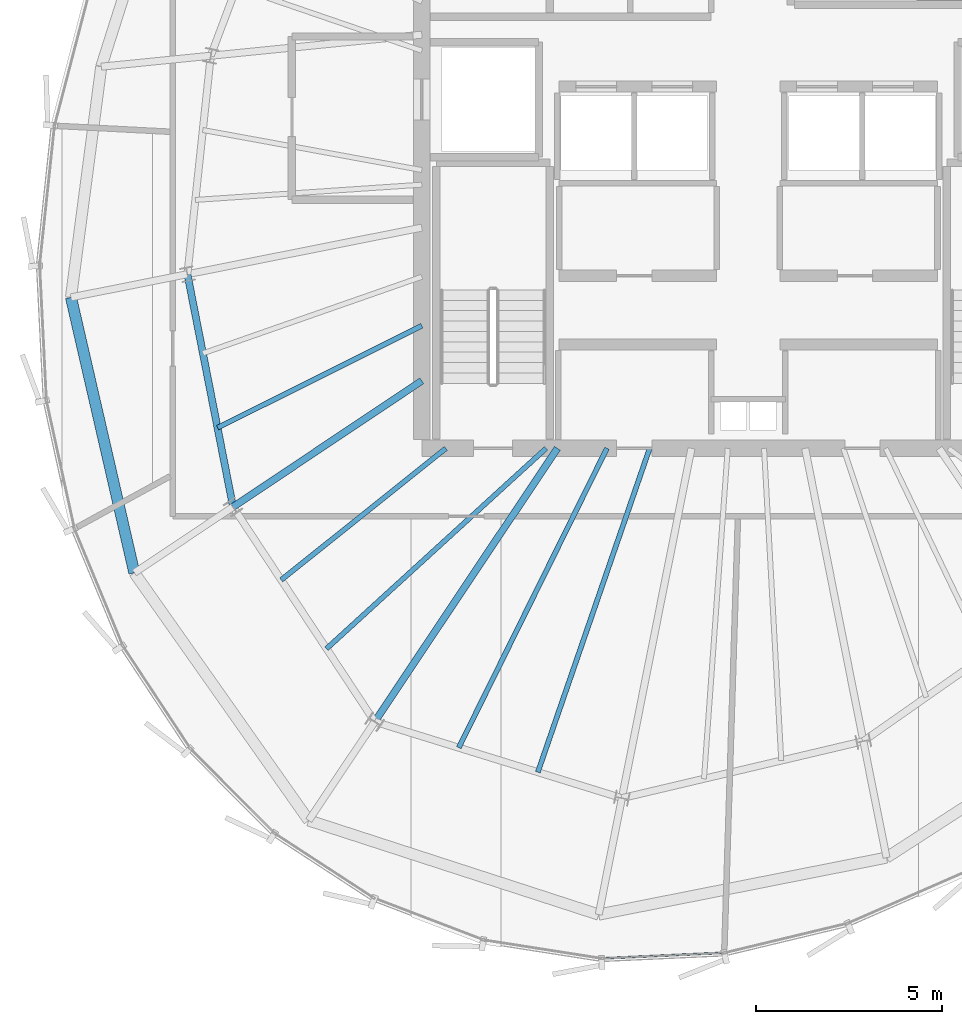
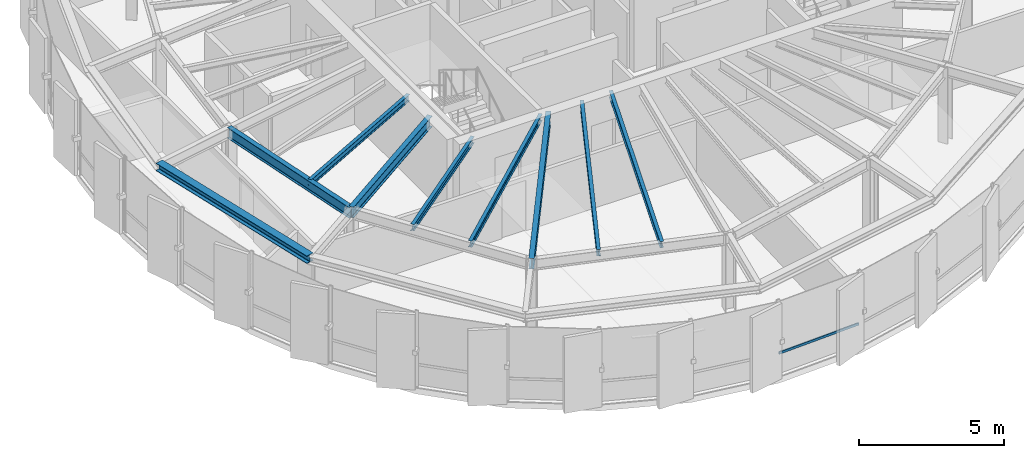
# One storey, part 5 of 31: 9 beams, 1 member, 1 element without a shape of its own.
"""IFC4 building model written with IfcOpenShell, lengths in metres."""

import ifcopenshell
import ifcopenshell.guid

model = None  # the IFC model being written
_history = None  # IfcOwnerHistory: only IFC2X3 demands one
_inside = {}  # id of a spatial element -> (the spatial element, [elements in it])
_under = {}  # id of a project, library or spatial element -> (it, [spatial elements below it])
_declared = {}  # id of a project -> (the project, [libraries it declares])
_typed = {}  # id of a type object -> (the type object, [elements of that type])
_made_of = {}  # id of a material, layer set ... -> (it, [elements and type objects made of it])


def new_model(schema):
    """Start an empty IFC model of exactly this schema.

    Asked for "IFC4X3", IfcOpenShell would pick the latest addendum, in which some entities
    have other attributes; the version numbers below select the first issue.
    IFC2X3 requires an IfcOwnerHistory on every rooted entity: one is made here for all.
    """
    global model, _history
    if schema == "IFC4X3":
        model = ifcopenshell.file(schema_version=(4, 3, 0, 0))
    else:
        model = ifcopenshell.file(schema=schema)
    _inside.clear()
    _under.clear()
    _declared.clear()
    _typed.clear()
    _made_of.clear()
    _history = None
    if model.schema == "IFC2X3":
        org = make("IfcOrganization", Name="unknown")
        user = make(
            "IfcPersonAndOrganization",
            ThePerson=make("IfcPerson", FamilyName="unknown"),
            TheOrganization=org,
        )
        app = make(
            "IfcApplication",
            ApplicationDeveloper=org,
            Version="unknown",
            ApplicationFullName="unknown",
            ApplicationIdentifier="unknown",
        )
        _history = make(
            "IfcOwnerHistory",
            OwningUser=user,
            OwningApplication=app,
            ChangeAction="ADDED",
            CreationDate=0,
        )
    return model


def make(cls, **values):
    """One entity of the class cls with the attributes given. An attribute that is None is left unset."""
    return model.create_entity(
        cls, **{name: value for name, value in values.items() if value is not None}
    )


def rooted(cls, **values):
    """An entity with a GlobalId (a new one), such as an element, a storey or a relation."""
    return make(cls, GlobalId=ifcopenshell.guid.new(), OwnerHistory=_history, **values)


def si_unit(unit_type, name, prefix=None):
    """IfcSIUnit, for example si_unit("LENGTHUNIT", "METRE", prefix="MILLI")."""
    return make("IfcSIUnit", UnitType=unit_type, Prefix=prefix, Name=name)


def assignment(units):
    """IfcUnitAssignment: the units of a project."""
    return None if units is None else make("IfcUnitAssignment", Units=units)


def point(xyz):
    """IfcCartesianPoint."""
    return None if xyz is None else make("IfcCartesianPoint", Coordinates=xyz)


def direction(xyz):
    """IfcDirection."""
    return None if xyz is None else make("IfcDirection", DirectionRatios=xyz)


def frame(location, z_axis=None, x_axis=None):
    """IfcAxis2Placement3D, a coordinate frame: its origin and axes. An axis left out is left unset."""
    return make(
        "IfcAxis2Placement3D",
        Location=point(location),
        Axis=direction(z_axis),
        RefDirection=direction(x_axis),
    )


def frame_2d(location, x_axis=None):
    """IfcAxis2Placement2D, a coordinate frame in the plane: its origin and x axis."""
    return make(
        "IfcAxis2Placement2D", Location=point(location), RefDirection=direction(x_axis)
    )


def origin():
    """The frame at (0, 0, 0) with its axes left unset."""
    return frame((0.0, 0.0, 0.0))


def origin_2d():
    """The frame at (0, 0) in the plane with its x axis left unset."""
    return frame_2d((0.0, 0.0))


def place(relative_to, where):
    """IfcLocalPlacement: puts the frame where relative to a parent placement (None: the world)."""
    return make(
        "IfcLocalPlacement", PlacementRelTo=relative_to, RelativePlacement=where
    )


def context(
    kind, dimensions, precision=None, world=None, true_north=None, identifier=None
):
    """IfcGeometricRepresentationContext, for example the 3D "Model" context."""
    return make(
        "IfcGeometricRepresentationContext",
        ContextIdentifier=identifier,
        ContextType=kind,
        CoordinateSpaceDimension=dimensions,
        Precision=precision,
        WorldCoordinateSystem=world,
        TrueNorth=true_north,
    )


def subcontext(parent, identifier, kind, view, scale=None):
    """IfcGeometricRepresentationSubContext, for example "Body" below "Model"."""
    return make(
        "IfcGeometricRepresentationSubContext",
        ContextIdentifier=identifier,
        ContextType=kind,
        ParentContext=parent,
        TargetScale=scale,
        TargetView=view,
    )


def project(units=None, contexts=None):
    """IfcProject with its units and contexts."""
    return rooted(
        "IfcProject",
        Name="project",
        RepresentationContexts=contexts,
        UnitsInContext=assignment(units),
    )


def spatial(cls, under=None, at=None, **own):
    """A site, building, storey or space (cls), placed at a placement, below another one or the project."""
    s = rooted(cls, ObjectPlacement=at, **own)
    if under is not None:
        _under.setdefault(under.id(), (under, []))[1].append(s)
    return s


def profile(cls, at=None, kind="AREA", **sizes):
    """A parametric profile (cls). Its sizes go by their IFC names, for example OverallWidth=200.0."""
    return make(cls, ProfileType=kind, Position=at, **sizes)


def hollow_rectangle(**sizes):
    """IfcRectangleHollowProfileDef."""
    return profile("IfcRectangleHollowProfileDef", **sizes)


def i_section(**sizes):
    """IfcIShapeProfileDef."""
    return profile("IfcIShapeProfileDef", **sizes)


def extrude(swept, where, along, depth):
    """IfcExtrudedAreaSolid: the profile swept, set in the frame where, extruded along a direction by depth."""
    return make(
        "IfcExtrudedAreaSolid",
        SweptArea=swept,
        Position=where,
        ExtrudedDirection=direction(along),
        Depth=depth,
    )


def shape(context_of_items, identifier, shape_type, items):
    """IfcShapeRepresentation: the items that make up one representation, for example the "Body"."""
    return make(
        "IfcShapeRepresentation",
        ContextOfItems=context_of_items,
        RepresentationIdentifier=identifier,
        RepresentationType=shape_type,
        Items=items,
    )


def source(mapping_origin, context_of_items, identifier, shape_type, items):
    """IfcRepresentationMap: a shape defined once, which mapped items show again and again."""
    return make(
        "IfcRepresentationMap",
        MappingOrigin=mapping_origin,
        MappedRepresentation=shape(context_of_items, identifier, shape_type, items),
    )


def transform(
    local_origin,
    x_axis=None,
    y_axis=None,
    z_axis=None,
    scale=None,
    scale2=None,
    scale3=None,
    uniform=True,
):
    """IfcCartesianTransformationOperator3D, or its non-uniform kind. x_axis, y_axis, z_axis: its Axis1, 2, 3."""
    if uniform:
        return make(
            "IfcCartesianTransformationOperator3D",
            Axis1=direction(x_axis),
            Axis2=direction(y_axis),
            LocalOrigin=point(local_origin),
            Scale=scale,
            Axis3=direction(z_axis),
        )
    return make(
        "IfcCartesianTransformationOperator3DnonUniform",
        Axis1=direction(x_axis),
        Axis2=direction(y_axis),
        LocalOrigin=point(local_origin),
        Scale=scale,
        Axis3=direction(z_axis),
        Scale2=scale2,
        Scale3=scale3,
    )


def mapped(mapping_source, mapping_target):
    """IfcMappedItem: shows the shape of a source again, moved by a transform."""
    return make(
        "IfcMappedItem", MappingSource=mapping_source, MappingTarget=mapping_target
    )


def material(Name=None, Category=None):
    """IfcMaterial."""
    return make("IfcMaterial", Name=Name, Category=Category)


def layer(
    of_material, thickness, ventilated=None, Name=None, Category=None, Priority=None
):
    """IfcMaterialLayer: one layer of a wall or slab, of a material (None: an air gap)."""
    return make(
        "IfcMaterialLayer",
        Material=of_material,
        LayerThickness=thickness,
        IsVentilated=ventilated,
        Name=Name,
        Category=Category,
        Priority=Priority,
    )


def layer_set(layers, Name=None):
    """IfcMaterialLayerSet."""
    return make("IfcMaterialLayerSet", MaterialLayers=layers, LayerSetName=Name)


def material_profile(
    of_material, cross_section, Name=None, Category=None, Priority=None
):
    """IfcMaterialProfile: a cross section and its material."""
    return make(
        "IfcMaterialProfile",
        Name=Name,
        Material=of_material,
        Profile=cross_section,
        Priority=Priority,
        Category=Category,
    )


def profile_set(profiles, Name=None, composite=None):
    """IfcMaterialProfileSet."""
    return make(
        "IfcMaterialProfileSet",
        Name=Name,
        MaterialProfiles=profiles,
        CompositeProfile=composite,
    )


def made_of(thing, what):
    """Note that an element or type object is made of a material, layer set ...; save() writes the relation."""
    if what is not None:
        _made_of.setdefault(what.id(), (what, []))[1].append(thing)
    return thing


def type_object(cls, material=None, **own):
    """A type object (cls), such as IfcWallType, which elements share."""
    return made_of(rooted(cls, **own), material)


def element(
    cls,
    number,
    at=None,
    inside=None,
    cuts=None,
    type_object=None,
    material=None,
    context=None,
    identifier="Body",
    shape_type=None,
    held_by="IfcProductDefinitionShape",
    body=None,
    shapes=None,
    **own,
):
    """One element of the class cls, such as IfcWall. Its Tag is "e" and its number.

    at: its placement. inside: the storey or other place that contains it. cuts: it is an
    opening in that element (IfcRelVoidsElement). A single representation is given by context,
    identifier, shape_type and body (its items); several are given by shapes. held_by: the class
    of the entity that holds the representations. save() writes the other relations.
    """
    e = rooted(cls, Tag="e%d" % number, ObjectPlacement=at, **own)
    if body is not None:
        shapes = [shape(context, identifier, shape_type, body)]
    if shapes is not None:
        e.Representation = make(held_by, Representations=shapes)
    if inside is not None:
        _inside.setdefault(inside.id(), (inside, []))[1].append(e)
    if cuts is not None:
        rooted(
            "IfcRelVoidsElement", RelatingBuildingElement=cuts, RelatedOpeningElement=e
        )
    if type_object is not None:
        _typed.setdefault(type_object.id(), (type_object, []))[1].append(e)
    return made_of(e, material)


def aggregate(whole, parts):
    """IfcRelAggregates: a whole, such as a stair, and the parts it consists of."""
    return rooted("IfcRelAggregates", RelatingObject=whole, RelatedObjects=parts)


def save(model, path):
    """Write the relations noted so far, then the file.

    IfcRelAggregates (storeys below a building ...), IfcRelContainedInSpatialStructure (elements
    in a storey), IfcRelDefinesByType, IfcRelAssociatesMaterial and IfcRelDeclares: one each for
    every whole, place, type object, material and project.
    """
    for whole, parts in _under.values():
        aggregate(whole, parts)
    for where, things in _inside.values():
        rooted(
            "IfcRelContainedInSpatialStructure",
            RelatedElements=things,
            RelatingStructure=where,
        )
    for kind, things in _typed.values():
        rooted("IfcRelDefinesByType", RelatedObjects=things, RelatingType=kind)
    for what, things in _made_of.values():
        rooted("IfcRelAssociatesMaterial", RelatedObjects=things, RelatingMaterial=what)
    for by, libraries in _declared.values():
        rooted("IfcRelDeclares", RelatingContext=by, RelatedDefinitions=libraries)
    model.write(path)


model = new_model("IFC4")

# Units and contexts
model_context = context("Model", 3, precision=1e-05, world=origin(), true_north=direction((0.0, 1.0)))
body_context = subcontext(model_context, "Body", "Model", "MODEL_VIEW")
ifc_project = project(units=[si_unit("LENGTHUNIT", "METRE"), si_unit("AREAUNIT", "SQUARE_METRE"), si_unit("VOLUMEUNIT", "CUBIC_METRE"), si_unit("PLANEANGLEUNIT", "RADIAN"), si_unit("MASSUNIT", "GRAM", prefix="KILO"), si_unit("THERMODYNAMICTEMPERATUREUNIT", "KELVIN")], contexts=[model_context])

# Site, building, storey
site_placement = place(None, origin())
site = spatial("IfcSite", under=ifc_project, at=site_placement, CompositionType="ELEMENT")
building_placement = place(site_placement, origin())
building = spatial("IfcBuilding", under=site, at=building_placement, Name="Kethvar Cultural Tower", CompositionType="ELEMENT")
storey_placement = place(building_placement, frame((0.0, 0.0, 287.050048828125)))
storey = spatial("IfcBuildingStorey", under=building, at=storey_placement, Name="L76", CompositionType="ELEMENT", Elevation=287.050048828125)

# Beams
ifc_material_1 = material(Name="Steel S355J2", Category="steel")
ifc_material_profile_1 = material_profile(ifc_material_1, i_section(OverallWidth=0.18994140625, OverallDepth=0.449951171875, WebThickness=0.009521484375, FlangeThickness=0.0146484375, FilletRadius=0.02099609375, at=origin_2d()), Name="Steel S355J2 — IPE450")
ifc_profile_set_1 = profile_set([ifc_material_profile_1], Name="Steel S355J2 — IPE450")
beam_type_1 = type_object("IfcBeamType", Name="BM-IPE450", PredefinedType="BEAM", material=ifc_profile_set_1)
shared_shape_1 = source(origin(), body_context, "Body", "SweptSolid", [
    extrude(i_section(OverallWidth=0.18994140625, OverallDepth=0.449951171875, WebThickness=0.009521484375, FlangeThickness=0.0146484375, FilletRadius=0.02099609375, at=origin_2d()), origin(), (0.0, 0.0, 1.0), 6.118408203125),
])
beam_1_placement = place(storey_placement, frame((38.0, 21.920166015625, 2.98291015625), z_axis=(-0.831466631282, -0.555574694406, 0.0), x_axis=(0.555574694406, -0.831466631282, 0.0)))
element("IfcBeam", 1, at=beam_1_placement, inside=storey, type_object=beam_type_1, Name="L76 Primary Radial Beam RB-10", PredefinedType="BEAM", context=body_context, shape_type="MappedRepresentation", body=[
    mapped(shared_shape_1, transform((0.0, 0.0, 0.0), scale=1.0)),
])
shared_shape_2 = source(origin(), body_context, "Body", "SweptSolid", [
    extrude(i_section(OverallWidth=0.18994140625, OverallDepth=0.449951171875, WebThickness=0.009521484375, FlangeThickness=0.0146484375, FilletRadius=0.02099609375, at=origin_2d()), origin(), (0.0, 0.0, 1.0), 8.86279296875),
])
beam_2_placement = place(storey_placement, frame((41.655029296875, 20.10009765625, 2.98291015625), z_axis=(-0.555564443415, -0.831473480764, 0.0), x_axis=(0.831473480764, -0.555564443415, 0.0)))
element("IfcBeam", 2, at=beam_2_placement, inside=storey, type_object=beam_type_1, Name="L76 Primary Radial Beam RB-11", PredefinedType="BEAM", context=body_context, shape_type="MappedRepresentation", body=[
    mapped(shared_shape_2, transform((0.0, 0.0, 0.0), scale=1.0)),
])
shared_shape_3 = source(origin(), body_context, "Body", "SweptSolid", [
    extrude(i_section(OverallWidth=0.18994140625, OverallDepth=0.449951171875, WebThickness=0.009521484375, FlangeThickness=0.0146484375, FilletRadius=0.02099609375, at=origin_2d()), origin(), (0.0, 0.0, 1.0), 6.391357421875),
])
beam_3_placement = place(storey_placement, frame((31.68310546875, 24.79296875, 2.98291015625), z_axis=(0.192405084368, -0.981315588131, 0.0), x_axis=(0.981315588131, 0.192405084368, 0.0)))
element("IfcBeam", 3, at=beam_3_placement, inside=storey, type_object=beam_type_1, Name="L76 Column Ring Tie Beam CR-09", PredefinedType="BEAM", context=body_context, shape_type="MappedRepresentation", body=[
    mapped(shared_shape_3, transform((0.0, 0.0, 0.0), scale=1.0)),
])
ifc_material_profile_2 = material_profile(ifc_material_1, i_section(OverallWidth=0.300048828125, OverallDepth=0.320068359375, WebThickness=0.011474609375, FlangeThickness=0.0205078125, FilletRadius=0.027099609375, at=origin_2d()), Name="Steel S355J2 — HEB320")
ifc_profile_set_2 = profile_set([ifc_material_profile_2], Name="Steel S355J2 — HEB320")
beam_type_2 = type_object("IfcBeamType", Name="BM-SP320", PredefinedType="SPANDREL", material=ifc_profile_set_2)
shared_shape_4 = source(origin(), body_context, "Body", "SweptSolid", [
    extrude(i_section(OverallWidth=0.300048828125, OverallDepth=0.320068359375, WebThickness=0.011474609375, FlangeThickness=0.0205078125, FilletRadius=0.027099609375, at=origin_2d()), origin(), (0.0, 0.0, 1.0), 7.619384765625),
])
beam_4_placement = place(storey_placement, frame((28.54443359375, 24.168701171875, 3.0478515625), z_axis=(0.224133998424, -0.974558336248, 0.0), x_axis=(0.974558336248, 0.224133998424, 0.0)))
element("IfcBeam", 4, at=beam_4_placement, inside=storey, type_object=beam_type_2, Name="L76 Perimeter Spandrel Beam SP-09", PredefinedType="SPANDREL", context=body_context, shape_type="MappedRepresentation", body=[
    mapped(shared_shape_4, transform((0.0, 0.0, 0.0), scale=1.0)),
])
ifc_material_profile_3 = material_profile(ifc_material_1, i_section(OverallWidth=0.135009765625, OverallDepth=0.27001953125, WebThickness=0.006591796875, FlangeThickness=0.01025390625, FilletRadius=0.014892578125, at=origin_2d()), Name="Steel S355J2 — IPE270")
ifc_profile_set_3 = profile_set([ifc_material_profile_3], Name="Steel S355J2 — IPE270")
beam_type_3 = type_object("IfcBeamType", Name="BM-J270", PredefinedType="JOIST", material=ifc_profile_set_3)
shared_shape_5 = source(origin(), body_context, "Body", "SweptSolid", [
    extrude(i_section(OverallWidth=0.135009765625, OverallDepth=0.27001953125, WebThickness=0.006591796875, FlangeThickness=0.01025390625, FilletRadius=0.014892578125, at=origin_2d()), origin(), (0.0, 0.0, 1.0), 6.154052734375),
])
beam_5_placement = place(storey_placement, frame((38.0, 23.40380859375, 3.072998046875), z_axis=(-0.89458581954, -0.446896197655, 0.0), x_axis=(0.446896197655, -0.89458581954, 0.0)))
element("IfcBeam", 5, at=beam_5_placement, inside=storey, type_object=beam_type_3, Name="L76 Composite Floor Joist J-09B", PredefinedType="JOIST", context=body_context, shape_type="MappedRepresentation", body=[
    mapped(shared_shape_5, transform((0.0, 0.0, 0.0), scale=1.0)),
])
shared_shape_6 = source(origin(), body_context, "Body", "SweptSolid", [
    extrude(i_section(OverallWidth=0.135009765625, OverallDepth=0.27001953125, WebThickness=0.006591796875, FlangeThickness=0.01025390625, FilletRadius=0.014892578125, at=origin_2d()), origin(), (0.0, 0.0, 1.0), 5.68212890625),
])
beam_6_placement = place(storey_placement, frame((38.64990234375, 20.10009765625, 3.072998046875), z_axis=(-0.781157957733, -0.624333440615, 0.0), x_axis=(0.624333440615, -0.781157957733, 0.0)))
element("IfcBeam", 6, at=beam_6_placement, inside=storey, type_object=beam_type_3, Name="L76 Composite Floor Joist J-10A", PredefinedType="JOIST", context=body_context, shape_type="MappedRepresentation", body=[
    mapped(shared_shape_6, transform((0.0, 0.0, 0.0), scale=1.0)),
])
shared_shape_7 = source(origin(), body_context, "Body", "SweptSolid", [
    extrude(i_section(OverallWidth=0.135009765625, OverallDepth=0.27001953125, WebThickness=0.006591796875, FlangeThickness=0.01025390625, FilletRadius=0.014892578125, at=origin_2d()), origin(), (0.0, 0.0, 1.0), 8.010986328125),
])
beam_7_placement = place(storey_placement, frame((41.35009765625, 20.10009765625, 3.072998046875), z_axis=(-0.738614798856, -0.674127717061, 0.0), x_axis=(0.674127717061, -0.738614798856, 0.0)))
element("IfcBeam", 7, at=beam_7_placement, inside=storey, type_object=beam_type_3, Name="L76 Composite Floor Joist J-10B", PredefinedType="JOIST", context=body_context, shape_type="MappedRepresentation", body=[
    mapped(shared_shape_7, transform((0.0, 0.0, 0.0), scale=1.0)),
])
shared_shape_8 = source(origin(), body_context, "Body", "SweptSolid", [
    extrude(i_section(OverallWidth=0.135009765625, OverallDepth=0.27001953125, WebThickness=0.006591796875, FlangeThickness=0.01025390625, FilletRadius=0.014892578125, at=origin_2d()), origin(), (0.0, 0.0, 1.0), 9.00341796875),
])
beam_8_placement = place(storey_placement, frame((42.989501953125, 20.10009765625, 3.072998046875), z_axis=(-0.443543695319, -0.896252749141, 0.0), x_axis=(0.896252749141, -0.443543695319, 0.0)))
element("IfcBeam", 8, at=beam_8_placement, inside=storey, type_object=beam_type_3, Name="L76 Composite Floor Joist J-11A", PredefinedType="JOIST", context=body_context, shape_type="MappedRepresentation", body=[
    mapped(shared_shape_8, transform((0.0, 0.0, 0.0), scale=1.0)),
])
shared_shape_9 = source(origin(), body_context, "Body", "SweptSolid", [
    extrude(i_section(OverallWidth=0.135009765625, OverallDepth=0.27001953125, WebThickness=0.006591796875, FlangeThickness=0.01025390625, FilletRadius=0.014892578125, at=origin_2d()), origin(), (0.0, 0.0, 1.0), 9.234130859375),
])
beam_9_placement = place(storey_placement, frame((44.1416015625, 20.10009765625, 3.072998046875), z_axis=(-0.326362208058, -0.945244787953, 0.0), x_axis=(0.945244787953, -0.326362208058, 0.0)))
element("IfcBeam", 9, at=beam_9_placement, inside=storey, type_object=beam_type_3, Name="L76 Composite Floor Joist J-11B", PredefinedType="JOIST", context=body_context, shape_type="MappedRepresentation", body=[
    mapped(shared_shape_9, transform((0.0, 0.0, 0.0), scale=1.0)),
])

# Curtain wall, member
ifc_material_2 = material(Name="Aluminium 6063-T6", Category="aluminium")
ifc_layer = layer(ifc_material_2, 0.179931640625, Name="Aluminium 6063-T6", Category="aluminium")
ifc_layer_set = layer_set([ifc_layer], Name="Aluminium 6063-T6 (180 mm)")
curtain_wall_type = type_object("IfcCurtainWallType", Name="CW-SYS-05-Z56", PredefinedType="NOTDEFINED", material=ifc_layer_set)
curtain_wall_placement = place(storey_placement, origin())
curtain_wall = element("IfcCurtainWall", 10, at=curtain_wall_placement, inside=storey, type_object=curtain_wall_type, Name="L76 Curtain Wall Run 04", PredefinedType="NOTDEFINED")
ifc_material_profile_4 = material_profile(ifc_material_2, hollow_rectangle(XDim=0.050048828125, YDim=0.10009765625, WallThickness=0.00390625, at=origin_2d()), Name="Aluminium 6063-T6 — RHS100x50x4")
ifc_profile_set_4 = profile_set([ifc_material_profile_4], Name="Aluminium 6063-T6 — RHS100x50x4")
member_type = type_object("IfcMemberType", Name="CW-SYS-05-Z56-TRN", PredefinedType="USERDEFINED", material=ifc_profile_set_4)
shared_shape_10 = source(origin(), body_context, "Body", "SweptSolid", [
    extrude(hollow_rectangle(XDim=0.050048828125, YDim=0.10009765625, WallThickness=0.00390625, at=origin_2d()), origin(), (0.0, 0.0, 1.0), 3.249267578125),
])
member_placement = place(storey_placement, frame((42.885498046875, 6.354248046875, 0.949951171875), z_axis=(0.998945641107, 0.045908671434, 0.0), x_axis=(-0.045908671434, 0.998945641107, 0.0)))
member = element("IfcMember", 11, at=member_placement, type_object=member_type, Name="CW-L76-R04 Transom 3", ObjectType="TRANSOM", PredefinedType="USERDEFINED", context=body_context, shape_type="MappedRepresentation", body=[
    mapped(shared_shape_10, transform((0.0, 0.0, 0.0), scale=1.0)),
])
aggregate(curtain_wall, [member])

save(model, "model.ifc")
